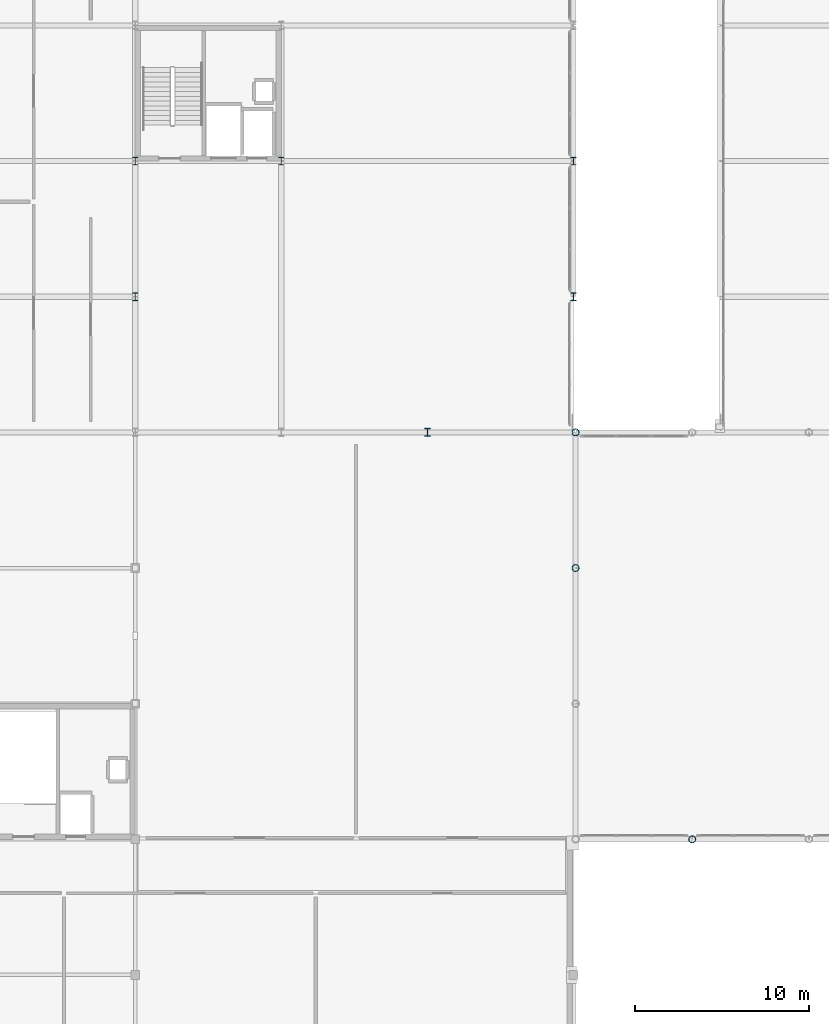
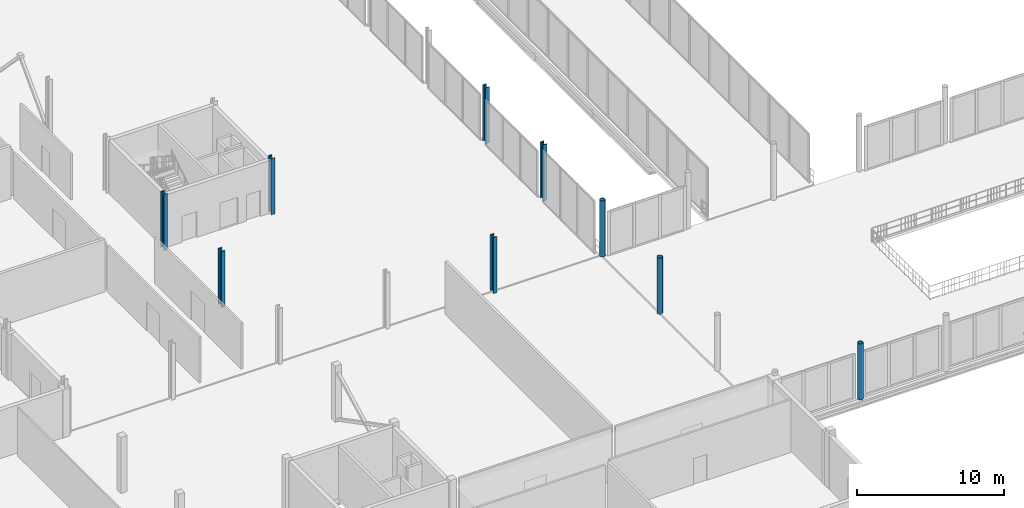
# One storey, part 4 of 98: 9 columns.
"""IFC4 building model written with IfcOpenShell, lengths in metres."""

from ifc_helpers import new_model, si_unit, direction, frame, origin, origin_2d, place, context, subcontext, project, spatial, hollow_circle, i_section, extrude, material, material_profile, profile_set, type_object, element, save


model = new_model("IFC4")

# Units and contexts
model_context = context("Model", 3, precision=1e-05, world=origin(), true_north=direction((0.0, 1.0)))
body_context = subcontext(model_context, "Body", "Model", "MODEL_VIEW")
ifc_project = project(units=[si_unit("LENGTHUNIT", "METRE"), si_unit("AREAUNIT", "SQUARE_METRE"), si_unit("VOLUMEUNIT", "CUBIC_METRE"), si_unit("PLANEANGLEUNIT", "RADIAN"), si_unit("MASSUNIT", "GRAM", prefix="KILO")], contexts=[model_context])

# Site, building, storey
site_placement = place(None, origin())
site = spatial("IfcSite", under=ifc_project, at=site_placement, CompositionType="ELEMENT")
building_placement = place(site_placement, origin())
building = spatial("IfcBuilding", under=site, at=building_placement, Name="Nabrawat Pavilion Hospital", CompositionType="ELEMENT")
storey_placement = place(building_placement, frame((0.0, 0.0, 10.199951171875)))
storey = spatial("IfcBuildingStorey", under=building, at=storey_placement, Name="L02", CompositionType="ELEMENT", Elevation=10.199951171875)

# Columns
ifc_material = material(Name="Steel S355", Category="steel")
ifc_material_profile_1 = material_profile(ifc_material, i_section(OverallWidth=0.300048828125, OverallDepth=0.449951171875, WebThickness=0.013916015625, FlangeThickness=0.02587890625, FilletRadius=0.027099609375, at=origin_2d()), Name="HEB 450")
ifc_profile_set_1 = profile_set([ifc_material_profile_1], Name="Steel S355")
column_type_1 = type_object("IfcColumnType", Name="Composite Steel Column HEB 450", PredefinedType="COLUMN", material=ifc_profile_set_1)
for number, where, z_axis, x_axis, name in (
    (1, (33.60009765625, 46.800048828125, 0.0), (0.0, 0.0, 1.0), (1.0, 0.0, 0.0), "L02 Structural Column G-5-G"),
    (2, (33.60009765625, 54.60009765625, 0.0), (0.0, 0.0, 1.0), (1.0, 0.0, 0.0), "L02 Structural Column G-5-H"),
    (3, (42.0, 54.60009765625, 0.0), (0.0, 0.0, 1.0), (1.0, 0.0, 0.0), "L02 Structural Column G-6-H"),
    (4, (50.39990234375, 39.0, 0.0), (0.0, 0.0, 1.0), (1.0, 0.0, 0.0), "L02 Structural Column G-7-F1"),
    (5, (58.800048828125, 46.800048828125, 0.0), (0.0, 0.0, 1.0), (1.0, 0.0, 0.0), "L02 Structural Column G-8A-G"),
    (6, (58.800048828125, 54.60009765625, 0.0), (0.0, 0.0, 1.0), (1.0, 0.0, 0.0), "L02 Structural Column G-8A-H"),
):
    element("IfcColumn", number, at=place(storey_placement, frame(where, z_axis=z_axis, x_axis=x_axis)), inside=storey, type_object=column_type_1, Name=name, PredefinedType="COLUMN", context=body_context, shape_type="SweptSolid", body=[
        extrude(i_section(OverallWidth=0.300048828125, OverallDepth=0.449951171875, WebThickness=0.013916015625, FlangeThickness=0.02587890625, FilletRadius=0.027099609375, at=origin_2d()), origin(), (0.0, 0.0, 1.0), 4.650146484375),
    ])
ifc_material_profile_2 = material_profile(ifc_material, hollow_circle(Radius=0.203125, WallThickness=0.02001953125, at=origin_2d()), Name="CHS 406.4x20")
ifc_profile_set_2 = profile_set([ifc_material_profile_2], Name="Steel S355")
column_type_2 = type_object("IfcColumnType", Name="Expressed Pavilion Tubular Column CHS 406.4x20", PredefinedType="COLUMN", material=ifc_profile_set_2)
for number, where, z_axis, x_axis, name in (
    (7, (58.919921875, 39.0, 0.0), (0.0, 0.0, 1.0), (1.0, 0.0, 0.0), "L02 Expressed Pavilion Column MH-N00"),
    (8, (65.6279296875, 15.60009765625, 0.0), (0.0, 0.0, 1.0), (1.0, 0.0, 0.0), "L02 Expressed Pavilion Column MH-S01"),
    (9, (58.919921875, 31.199951171875, 0.0), (0.0, 0.0, 1.0), (1.0, 0.0, 0.0), "L02 Expressed Pavilion Column MH-W02"),
):
    element("IfcColumn", number, at=place(storey_placement, frame(where, z_axis=z_axis, x_axis=x_axis)), inside=storey, type_object=column_type_2, Name=name, PredefinedType="COLUMN", context=body_context, shape_type="SweptSolid", body=[
        extrude(hollow_circle(Radius=0.203125, WallThickness=0.02001953125, at=origin_2d()), origin(), (0.0, 0.0, 1.0), 4.650146484375),
    ])

save(model, "model.ifc")
